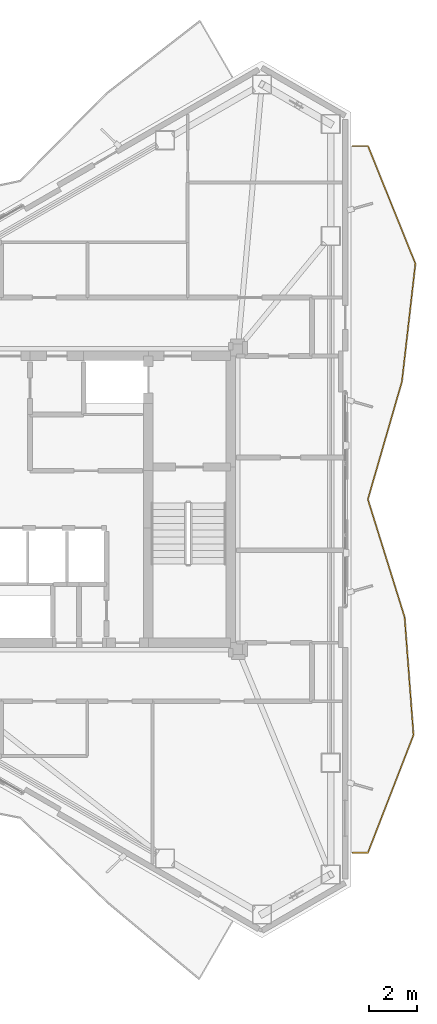
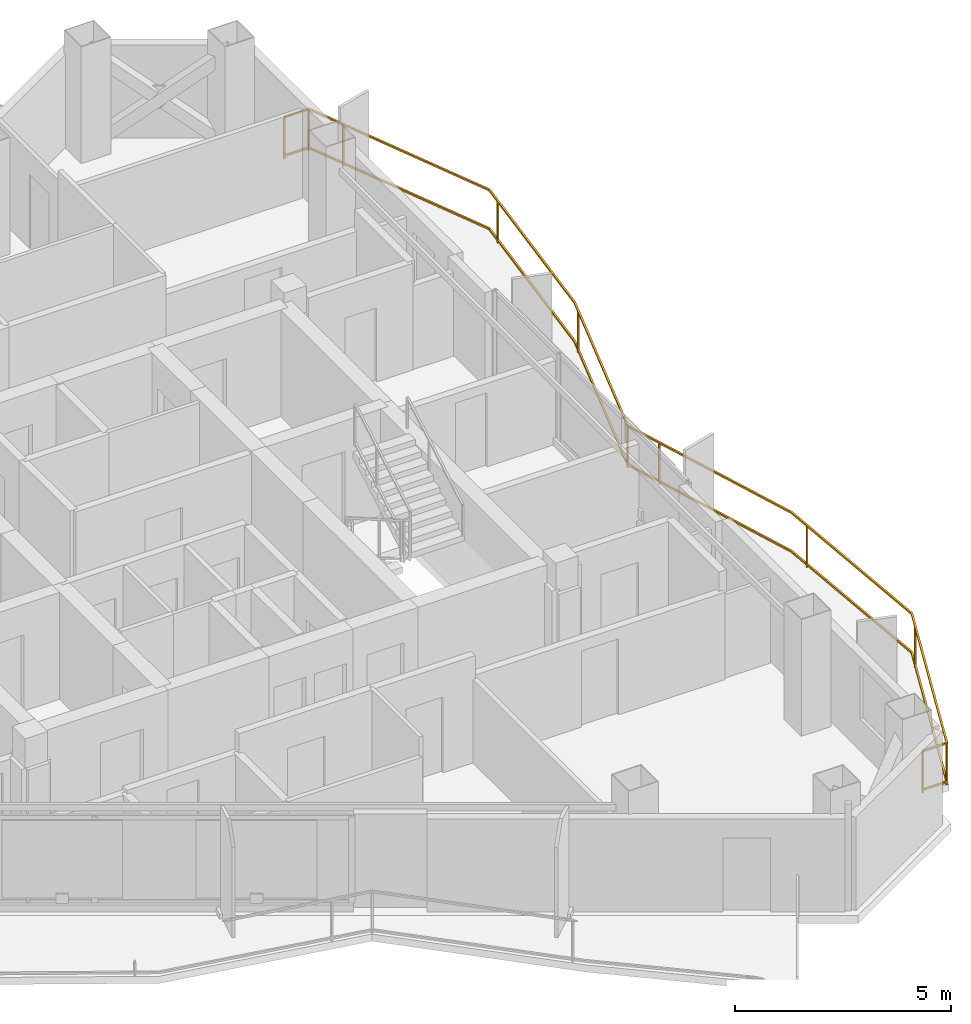
# One storey, part 21 of 21: 1 railing.
"""IFC4 building model written with IfcOpenShell, lengths in metres."""

from ifc_helpers import new_model, si_unit, direction, frame, origin, origin_2d, place, context, subcontext, project, spatial, rectangle, extrude, material, type_object, element, save


model = new_model("IFC4")

# Units and contexts
model_context = context("Model", 3, precision=1e-05, world=origin(), true_north=direction((0.0, 1.0)))
body_context = subcontext(model_context, "Body", "Model", "MODEL_VIEW")
ifc_project = project(units=[si_unit("LENGTHUNIT", "METRE"), si_unit("AREAUNIT", "SQUARE_METRE"), si_unit("VOLUMEUNIT", "CUBIC_METRE"), si_unit("PLANEANGLEUNIT", "RADIAN"), si_unit("MASSUNIT", "GRAM", prefix="KILO")], contexts=[model_context])

# Site, building, storey
site_placement = place(None, origin())
site = spatial("IfcSite", under=ifc_project, at=site_placement, CompositionType="ELEMENT")
building_placement = place(site_placement, origin())
building = spatial("IfcBuilding", under=site, at=building_placement, Name="Mersakhor Tower and Convention Hall", CompositionType="ELEMENT")
storey_placement = place(building_placement, frame((0.0, 0.0, 215.10009765625)))
storey = spatial("IfcBuildingStorey", under=building, at=storey_placement, Name="L60", CompositionType="ELEMENT", Elevation=215.10009765625)

# Railing
ifc_material = material(Name="Powder-coated galvanised steel and laminated glass balustrade", Category="steel")
railing_type = type_object("IfcRailingType", Name="RL-BAL-1200", PredefinedType="BALUSTRADE", material=ifc_material)
railing_placement = place(storey_placement, frame((40.888427734375, 11.957275390625, 0.0)))
element("IfcRailing", 1, at=railing_placement, inside=storey, type_object=railing_type, Name="L60 Sinusoidal Balcony Balustrade F2", PredefinedType="BALUSTRADE", context=body_context, shape_type="SweptSolid", body=[
    extrude(rectangle(XDim=0.048095703125, YDim=0.048095703125, at=origin_2d()), frame((0.0, 0.0, 1.17578125), z_axis=(1.0, 0.0, 0.0), x_axis=(0.0, 1.0, 0.0)), (0.0, 0.0, 1.0), 0.64990234375),
    extrude(rectangle(XDim=0.048095703125, YDim=0.048095703125, at=origin_2d()), frame((0.0, 0.0, 0.080078125), z_axis=(1.0, 0.0, 0.0), x_axis=(0.0, 1.0, 0.0)), (0.0, 0.0, 1.0), 0.64990234375),
    extrude(rectangle(XDim=0.048095703125, YDim=0.048095703125, at=origin_2d()), frame((0.64990234375, 0.0, 1.17578125), z_axis=(0.361146941413, 0.932508920444, 0.0), x_axis=(-0.932508920444, 0.361146941413, 0.0)), (0.0, 0.0, 1.0), 5.287841796875),
    extrude(rectangle(XDim=0.048095703125, YDim=0.048095703125, at=origin_2d()), frame((0.64990234375, 0.0, 0.080078125), z_axis=(0.361146941413, 0.932508920444, 0.0), x_axis=(-0.932508920444, 0.361146941413, 0.0)), (0.0, 0.0, 1.0), 5.287841796875),
    extrude(rectangle(XDim=0.048095703125, YDim=0.048095703125, at=origin_2d()), frame((2.5595703125, 4.930908203125, 1.17578125), z_axis=(-0.075144663186, 0.997172642823, 0.0), x_axis=(-0.997172642823, -0.075144663186, 0.0)), (0.0, 0.0, 1.0), 4.94482421875),
    extrude(rectangle(XDim=0.048095703125, YDim=0.048095703125, at=origin_2d()), frame((2.5595703125, 4.930908203125, 0.080078125), z_axis=(-0.075144663186, 0.997172642823, 0.0), x_axis=(-0.997172642823, -0.075144663186, 0.0)), (0.0, 0.0, 1.0), 4.94482421875),
    extrude(rectangle(XDim=0.048095703125, YDim=0.048095703125, at=origin_2d()), frame((2.18798828125, 9.86181640625, 1.17578125), z_axis=(-0.297777059488, 0.954635439758, 0.0), x_axis=(-0.954635439758, -0.297777059488, 0.0)), (0.0, 0.0, 1.0), 5.165283203125),
    extrude(rectangle(XDim=0.048095703125, YDim=0.048095703125, at=origin_2d()), frame((2.18798828125, 9.86181640625, 0.080078125), z_axis=(-0.297777059488, 0.954635439758, 0.0), x_axis=(-0.954635439758, -0.297777059488, 0.0)), (0.0, 0.0, 1.0), 5.165283203125),
    extrude(rectangle(XDim=0.048095703125, YDim=0.048095703125, at=origin_2d()), frame((0.64990234375, 14.792724609375, 1.17578125), z_axis=(0.277860587189, 0.960621410383, 0.0), x_axis=(-0.960621410383, 0.277860587189, 0.0)), (0.0, 0.0, 1.0), 5.133056640625),
    extrude(rectangle(XDim=0.048095703125, YDim=0.048095703125, at=origin_2d()), frame((0.64990234375, 14.792724609375, 0.080078125), z_axis=(0.277860587189, 0.960621410383, 0.0), x_axis=(-0.960621410383, 0.277860587189, 0.0)), (0.0, 0.0, 1.0), 5.133056640625),
    extrude(rectangle(XDim=0.048095703125, YDim=0.048095703125, at=origin_2d()), frame((2.076171875, 19.7236328125, 1.17578125), z_axis=(0.113535492199, 0.993533941046, 0.0), x_axis=(-0.993533941046, 0.113535492199, 0.0)), (0.0, 0.0, 1.0), 4.962890625),
    extrude(rectangle(XDim=0.048095703125, YDim=0.048095703125, at=origin_2d()), frame((2.076171875, 19.7236328125, 0.080078125), z_axis=(0.113535492199, 0.993533941046, 0.0), x_axis=(-0.993533941046, 0.113535492199, 0.0)), (0.0, 0.0, 1.0), 4.962890625),
    extrude(rectangle(XDim=0.048095703125, YDim=0.048095703125, at=origin_2d()), frame((2.6396484375, 24.654541015625, 1.17578125), z_axis=(-0.373851744481, 0.927488476019, 0.0), x_axis=(-0.927488476019, -0.373851744481, 0.0)), (0.0, 0.0, 1.0), 5.31640625),
    extrude(rectangle(XDim=0.048095703125, YDim=0.048095703125, at=origin_2d()), frame((2.6396484375, 24.654541015625, 0.080078125), z_axis=(-0.373851744481, 0.927488476019, 0.0), x_axis=(-0.927488476019, -0.373851744481, 0.0)), (0.0, 0.0, 1.0), 5.31640625),
    extrude(rectangle(XDim=0.048095703125, YDim=0.048095703125, at=origin_2d()), frame((0.652099609375, 29.58544921875, 1.17578125), z_axis=(-1.0, 0.0, 0.0), x_axis=(0.0, -1.0, 0.0)), (0.0, 0.0, 1.0), 0.652099609375),
    extrude(rectangle(XDim=0.048095703125, YDim=0.048095703125, at=origin_2d()), frame((0.652099609375, 29.58544921875, 0.080078125), z_axis=(-1.0, 0.0, 0.0), x_axis=(0.0, -1.0, 0.0)), (0.0, 0.0, 1.0), 0.652099609375),
    extrude(rectangle(XDim=0.0419921875, YDim=0.0419921875, at=origin_2d()), origin(), (0.0, 0.0, 1.0), 1.15185546875),
    extrude(rectangle(XDim=0.0419921875, YDim=0.0419921875, at=origin_2d()), frame((0.64990234375, 0.0, 0.0)), (0.0, 0.0, 1.0), 1.15185546875),
    extrude(rectangle(XDim=0.0419921875, YDim=0.0419921875, at=origin_2d()), frame((2.38330078125, 4.47607421875, 0.0)), (0.0, 0.0, 1.0), 1.15185546875),
    extrude(rectangle(XDim=0.0419921875, YDim=0.0419921875, at=origin_2d()), frame((2.235595703125, 9.23095703125, 0.0)), (0.0, 0.0, 1.0), 1.15185546875),
    extrude(rectangle(XDim=0.0419921875, YDim=0.0419921875, at=origin_2d()), frame((0.947021484375, 13.840087890625, 0.0)), (0.0, 0.0, 1.0), 1.15185546875),
    extrude(rectangle(XDim=0.0419921875, YDim=0.0419921875, at=origin_2d()), frame((0.64990234375, 14.792724609375, 0.0)), (0.0, 0.0, 1.0), 1.15185546875),
    extrude(rectangle(XDim=0.0419921875, YDim=0.0419921875, at=origin_2d()), frame((1.983642578125, 19.40380859375, 0.0)), (0.0, 0.0, 1.0), 1.15185546875),
    extrude(rectangle(XDim=0.0419921875, YDim=0.0419921875, at=origin_2d()), frame((2.583251953125, 24.16162109375, 0.0)), (0.0, 0.0, 1.0), 1.15185546875),
    extrude(rectangle(XDim=0.0419921875, YDim=0.0419921875, at=origin_2d()), frame((1.030517578125, 28.646484375, 0.0)), (0.0, 0.0, 1.0), 1.15185546875),
    extrude(rectangle(XDim=0.0419921875, YDim=0.0419921875, at=origin_2d()), frame((0.652099609375, 29.58544921875, 0.0)), (0.0, 0.0, 1.0), 1.15185546875),
    extrude(rectangle(XDim=0.0419921875, YDim=0.0419921875, at=origin_2d()), frame((0.0, 29.58544921875, 0.0)), (0.0, 0.0, 1.0), 1.15185546875),
])

save(model, "model.ifc")
